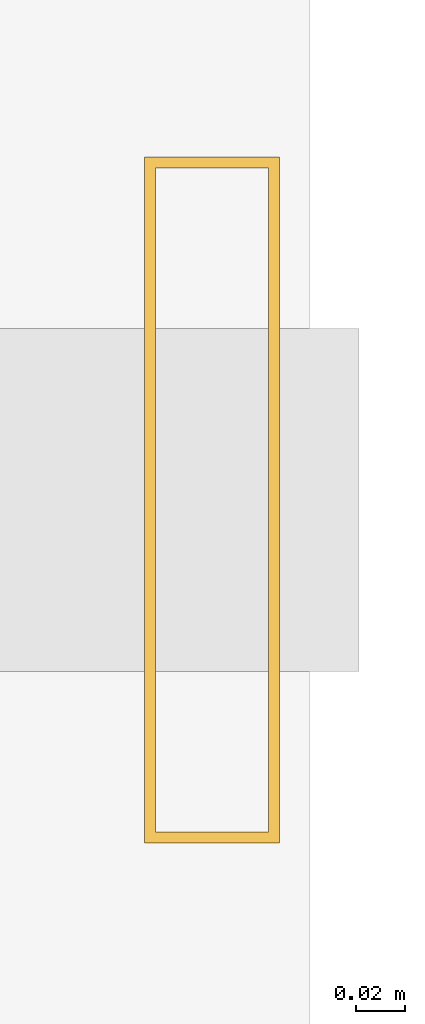
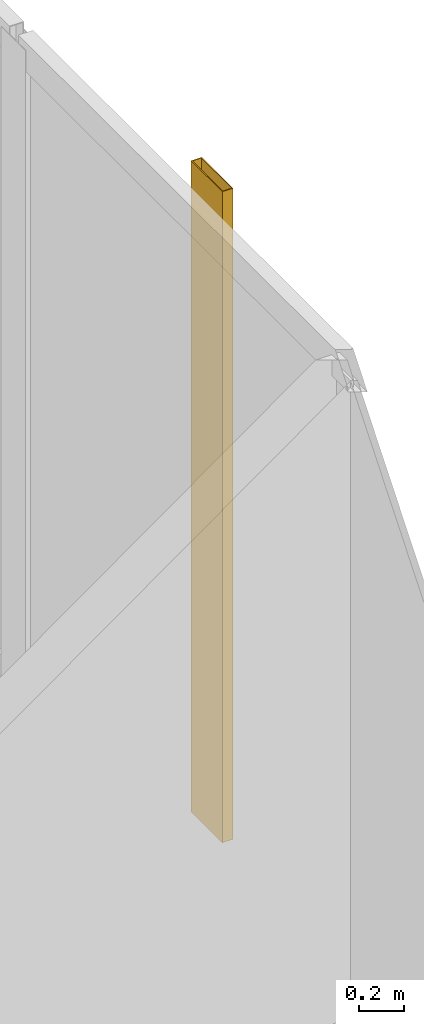
# One storey, part 23 of 23: 1 shading device.
"""IFC4 building model written with IfcOpenShell, lengths in metres."""

from ifc_helpers import new_model, si_unit, direction, frame, origin, origin_2d, place, context, subcontext, project, spatial, hollow_rectangle, extrude, material, material_profile, profile_set, type_object, element, save


model = new_model("IFC4")

# Units and contexts
model_context = context("Model", 3, precision=1e-05, world=origin(), true_north=direction((0.0, 1.0)))
body_context = subcontext(model_context, "Body", "Model", "MODEL_VIEW")
ifc_project = project(units=[si_unit("LENGTHUNIT", "METRE"), si_unit("AREAUNIT", "SQUARE_METRE"), si_unit("VOLUMEUNIT", "CUBIC_METRE"), si_unit("PLANEANGLEUNIT", "RADIAN"), si_unit("MASSUNIT", "GRAM", prefix="KILO")], contexts=[model_context])

# Site, building, storey
site_placement = place(None, origin())
site = spatial("IfcSite", under=ifc_project, at=site_placement, CompositionType="ELEMENT")
building_placement = place(site_placement, origin())
building = spatial("IfcBuilding", under=site, at=building_placement, Name="Kolvaren Waterfront Exchange", CompositionType="ELEMENT")
storey_placement = place(building_placement, frame((0.0, 0.0, 212.10009765625)))
storey = spatial("IfcBuildingStorey", under=building, at=storey_placement, Name="L54", CompositionType="ELEMENT", Elevation=212.10009765625)

# Shading device
ifc_material = material(Name="Anodised bronze aluminium 6063-T6", Category="aluminium")
ifc_material_profile = material_profile(ifc_material, hollow_rectangle(XDim=0.054931640625, YDim=0.280029296875, WallThickness=0.00439453125, at=origin_2d()), Name="BRZ-FIN-280x55x4.5")
ifc_profile_set = profile_set([ifc_material_profile], Name="Anodised bronze aluminium 6063-T6")
shading_device_type = type_object("IfcShadingDeviceType", Name="ARC-FIN-280", PredefinedType="USERDEFINED", material=ifc_profile_set)
shading_device_placement = place(storey_placement, frame((21.360107421875, 38.39990234375, 0.0), z_axis=(0.0, 0.0, 1.0), x_axis=(1.0, 0.0, 0.0)))
element("IfcShadingDevice", 1, at=shading_device_placement, inside=storey, type_object=shading_device_type, Name="L54 anodised bronze solar shading fin FIN-L54-E3", ObjectType="SOLAR FIN", PredefinedType="USERDEFINED", context=body_context, shape_type="SweptSolid", body=[
    extrude(hollow_rectangle(XDim=0.054931640625, YDim=0.280029296875, WallThickness=0.00439453125, at=origin_2d()), origin(), (0.0, 0.0, 1.0), 3.559814453125),
])

save(model, "model.ifc")
